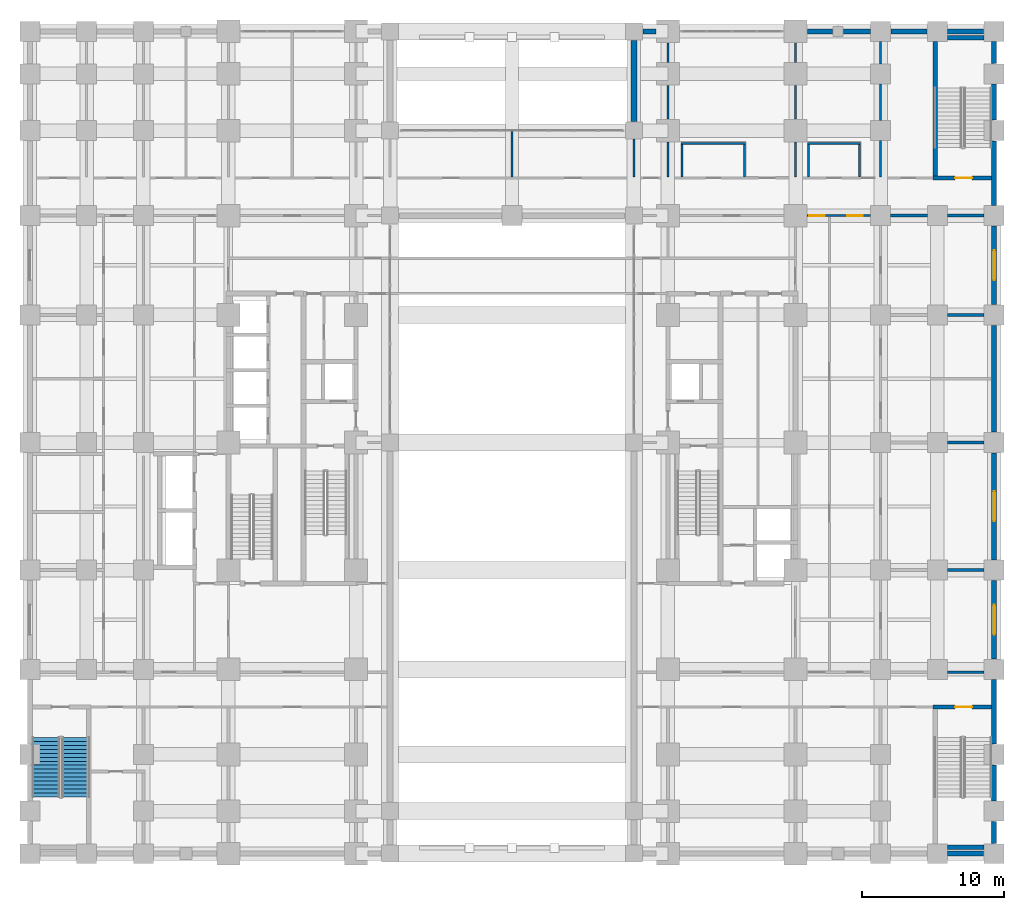
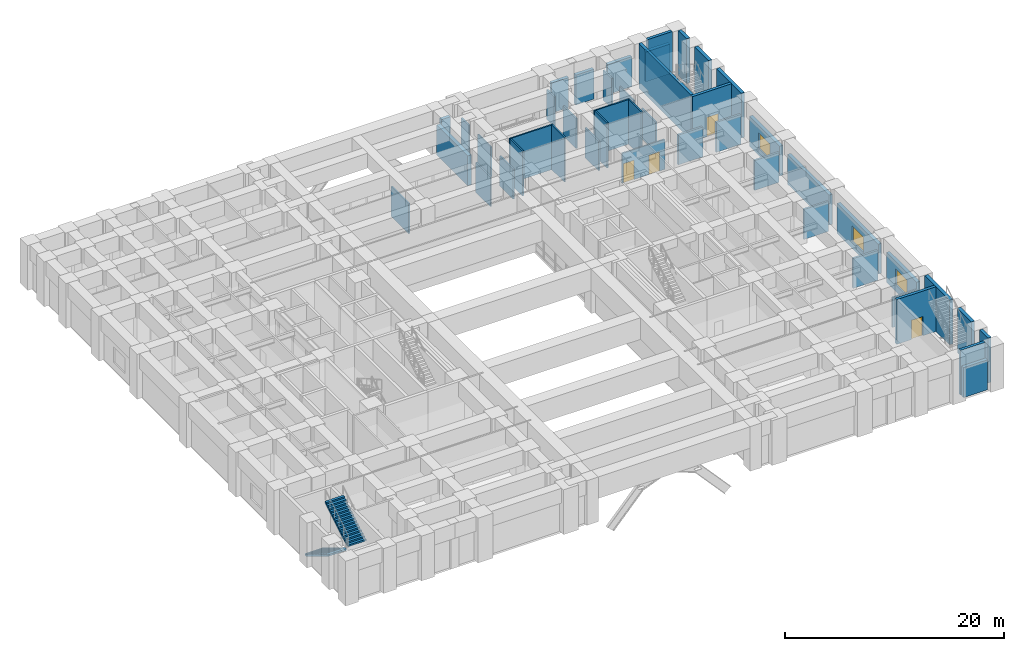
# One storey, part 17 of 24: 46 walls, 4 doors, 3 windows, 2 stair flights, 7 openings, 1 element without a shape of its own.
"""IFC4 building model written with IfcOpenShell, lengths in metres."""

from ifc_helpers import new_model, si_unit, direction, frame, frame_2d, origin, place, context, subcontext, project, spatial, polyline, rectangle, outline, extrude, material, layer, layer_set, type_object, element, fill, aggregate, save


model = new_model("IFC4")

# Units and contexts
model_context = context("Model", 3, precision=1e-05, world=origin(), true_north=direction((0.0, 1.0)))
body_context = subcontext(model_context, "Body", "Model", "MODEL_VIEW")
ifc_project = project(units=[si_unit("LENGTHUNIT", "METRE"), si_unit("AREAUNIT", "SQUARE_METRE"), si_unit("VOLUMEUNIT", "CUBIC_METRE"), si_unit("PLANEANGLEUNIT", "RADIAN"), si_unit("MASSUNIT", "GRAM", prefix="KILO")], contexts=[model_context])

# Site, building, storey
site_placement = place(None, origin())
site = spatial("IfcSite", under=ifc_project, at=site_placement, CompositionType="ELEMENT")
building_placement = place(site_placement, origin())
building = spatial("IfcBuilding", under=site, at=building_placement, Name="Zulmaris Gate Convention Tower", CompositionType="ELEMENT")
storey_placement = place(building_placement, frame((0.0, 0.0, 16.320068359375)))
storey = spatial("IfcBuildingStorey", under=building, at=storey_placement, Name="L03", CompositionType="ELEMENT", Elevation=16.320068359375)

# Wall
ifc_material_1 = material(Name="Concrete C50/60", Category="concrete")
ifc_layer_1 = layer(ifc_material_1, 0.300048828125, Name="Concrete C50/60")
ifc_layer_set_1 = layer_set([ifc_layer_1], Name="Concrete C50/60")
wall_type_1 = type_object("IfcWallType", Name="CORE-300", PredefinedType="SHEAR", material=ifc_layer_set_1)
wall_1_placement = place(storey_placement, frame((30.7041015625, -28.550048828125, 0.0), z_axis=(0.0, 0.0, 1.0), x_axis=(1.0, 0.0, 0.0)))
element("IfcWall", 1, at=wall_1_placement, inside=storey, type_object=wall_type_1, Name="WL-L03-002", PredefinedType="SHEAR", context=body_context, shape_type="SweptSolid", body=[
    extrude(rectangle(XDim=2.591796875, YDim=0.300048828125, at=frame_2d((1.2958984375, 0.0))), origin(), (0.0, 0.0, 1.0), 4.989990234375),
])

# Wall, opening, door
wall_2_placement = place(storey_placement, frame((29.699951171875, -18.64990234375, 0.0), z_axis=(0.0, 0.0, 1.0), x_axis=(1.0, 0.0, 0.0)))
wall_2 = element("IfcWall", 2, at=wall_2_placement, inside=storey, type_object=wall_type_1, Name="WL-L03-004", PredefinedType="SHEAR", context=body_context, shape_type="SweptSolid", body=[
    extrude(rectangle(XDim=4.135009765625, YDim=0.300048828125, at=frame_2d((2.0673828125, 0.0))), origin(), (0.0, 0.0, 1.0), 4.989990234375),
])
opening_1_placement = place(wall_2_placement, frame((1.550048828125, 0.0, 0.0)))
opening_1 = element("IfcOpeningElement", 3, at=opening_1_placement, cuts=wall_2, Name="Opening D-13", PredefinedType="OPENING", context=body_context, shape_type="SweptSolid", body=[
    extrude(rectangle(XDim=1.199951171875, YDim=2.14990234375, at=frame_2d((0.60009765625, 1.074951171875))), frame((0.0, 0.16015625, 0.0), z_axis=(0.0, -1.0, 0.0), x_axis=(1.0, 0.0, 0.0)), (0.0, 0.0, 1.0), 0.320068359375),
])
ifc_material_2 = material(Name="Fire-Rated Steel", Category="steel")
door_type_1 = type_object("IfcDoorType", Name="DR-1200-FD", OperationType="NOTDEFINED", PredefinedType="DOOR", material=ifc_material_2)
door_1_placement = place(opening_1_placement, origin())
door_1 = element("IfcDoor", 4, at=door_1_placement, inside=storey, type_object=door_type_1, Name="L03 Exit Stair ST-6 Door 25", OperationType="SINGLE_SWING_LEFT", OverallHeight=2.14990234375, OverallWidth=1.199951171875, PredefinedType="DOOR", context=body_context, shape_type="SweptSolid", body=[
    extrude(rectangle(XDim=1.199951171875, YDim=2.14990234375, at=frame_2d((0.60009765625, 1.074951171875))), frame((0.0, 0.02490234375, 0.0), z_axis=(0.0, -1.0, 0.0), x_axis=(1.0, 0.0, 0.0)), (0.0, 0.0, 1.0), 0.050048828125),
])
fill(opening_1, door_1)

wall_3_placement = place(storey_placement, frame((29.699951171875, 18.64990234375, 0.0), z_axis=(0.0, 0.0, 1.0), x_axis=(1.0, 0.0, 0.0)))
wall_3 = element("IfcWall", 5, at=wall_3_placement, inside=storey, type_object=wall_type_1, Name="WL-L03-027", PredefinedType="SHEAR", context=body_context, shape_type="SweptSolid", body=[
    extrude(rectangle(XDim=4.135009765625, YDim=0.300048828125, at=frame_2d((2.0673828125, 0.0))), origin(), (0.0, 0.0, 1.0), 4.989990234375),
])
opening_2_placement = place(wall_3_placement, frame((1.550048828125, 0.0, 0.0)))
opening_2 = element("IfcOpeningElement", 6, at=opening_2_placement, cuts=wall_3, Name="Opening D-13", PredefinedType="OPENING", context=body_context, shape_type="SweptSolid", body=[
    extrude(rectangle(XDim=1.199951171875, YDim=2.14990234375, at=frame_2d((0.60009765625, 1.074951171875))), frame((0.0, 0.16015625, 0.0), z_axis=(0.0, -1.0, 0.0), x_axis=(1.0, 0.0, 0.0)), (0.0, 0.0, 1.0), 0.320068359375),
])
door_2_placement = place(opening_2_placement, origin())
door_2 = element("IfcDoor", 7, at=door_2_placement, inside=storey, type_object=door_type_1, Name="L03 Exit Stair ST-5 Door 24", OperationType="SINGLE_SWING_RIGHT", OverallHeight=2.14990234375, OverallWidth=1.199951171875, PredefinedType="DOOR", context=body_context, shape_type="SweptSolid", body=[
    extrude(rectangle(XDim=1.199951171875, YDim=2.14990234375, at=frame_2d((0.60009765625, 1.074951171875))), frame((0.0, 0.02490234375, 0.0), z_axis=(0.0, -1.0, 0.0), x_axis=(1.0, 0.0, 0.0)), (0.0, 0.0, 1.0), 0.050048828125),
])
fill(opening_2, door_2)

# Walls
wall_4_placement = place(storey_placement, frame((30.7041015625, 28.550048828125, 0.0), z_axis=(0.0, 0.0, 1.0), x_axis=(1.0, 0.0, 0.0)))
element("IfcWall", 8, at=wall_4_placement, inside=storey, type_object=wall_type_1, Name="WL-L03-028", PredefinedType="SHEAR", context=body_context, shape_type="SweptSolid", body=[
    extrude(rectangle(XDim=2.591796875, YDim=0.300048828125, at=frame_2d((1.2958984375, 0.0))), origin(), (0.0, 0.0, 1.0), 4.989990234375),
])
wall_5_placement = place(storey_placement, frame((29.85009765625, 18.802001953125, 0.0), z_axis=(0.0, 0.0, 1.0), x_axis=(0.0, 1.0, 0.0)))
element("IfcWall", 9, at=wall_5_placement, inside=storey, type_object=wall_type_1, Name="WL-L03-109", PredefinedType="SHEAR", context=body_context, shape_type="SweptSolid", body=[
    extrude(rectangle(XDim=9.493896484375, YDim=0.300048828125, at=frame_2d((4.7470703125, 0.0))), origin(), (0.0, 0.0, 1.0), 4.989990234375),
])
ifc_material_3 = material(Name="Gypsum Metal Stud Partition")
ifc_layer_2 = layer(ifc_material_3, 0.14990234375, Name="Gypsum Metal Stud Partition")
ifc_layer_set_2 = layer_set([ifc_layer_2], Name="Gypsum Metal Stud Partition")
wall_type_2 = type_object("IfcWallType", Name="PART-150", PredefinedType="PARTITIONING", material=ifc_layer_set_2)
wall_6_placement = place(storey_placement, frame((30.7060546875, -16.199951171875, 0.0), z_axis=(0.0, 0.0, 1.0), x_axis=(1.0, 0.0, 0.0)))
element("IfcWall", 10, at=wall_6_placement, inside=storey, type_object=wall_type_2, Name="WL-L03-033S4", PredefinedType="PARTITIONING", context=body_context, shape_type="SweptSolid", body=[
    extrude(rectangle(XDim=2.587890625, YDim=0.14990234375, at=frame_2d((1.2939453125, 0.0))), origin(), (0.0, 0.0, 1.0), 3.33203125),
])

# Wall, openings, doors
wall_7_placement = place(storey_placement, frame((20.805908203125, 16.0, 0.0), z_axis=(0.0, 0.0, 1.0), x_axis=(1.0, 0.0, 0.0)))
wall_7 = element("IfcWall", 11, at=wall_7_placement, inside=storey, type_object=wall_type_2, Name="WL-L03-063", PredefinedType="PARTITIONING", context=body_context, shape_type="SweptSolid", body=[
    extrude(rectangle(XDim=4.488037109375, YDim=0.14990234375, at=frame_2d((2.244140625, 0.0))), origin(), (0.0, 0.0, 1.0), 3.33203125),
])
opening_3_placement = place(wall_7_placement, frame((0.14990234375, 0.0, 0.0)))
opening_3 = element("IfcOpeningElement", 12, at=opening_3_placement, cuts=wall_7, Name="Opening D-08", PredefinedType="OPENING", context=body_context, shape_type="SweptSolid", body=[
    extrude(rectangle(XDim=1.10009765625, YDim=2.14990234375, at=frame_2d((0.550048828125, 1.074951171875))), frame((0.0, 0.0849609375, 0.0), z_axis=(0.0, -1.0, 0.0), x_axis=(1.0, 0.0, 0.0)), (0.0, 0.0, 1.0), 0.169921875),
])
opening_4_placement = place(wall_7_placement, frame((2.843994140625, 0.0, 0.0)))
opening_4 = element("IfcOpeningElement", 13, at=opening_4_placement, cuts=wall_7, Name="Opening D-08", PredefinedType="OPENING", context=body_context, shape_type="SweptSolid", body=[
    extrude(rectangle(XDim=1.10009765625, YDim=2.14990234375, at=frame_2d((0.550048828125, 1.074951171875))), frame((0.0, 0.0849609375, 0.0), z_axis=(0.0, -1.0, 0.0), x_axis=(1.0, 0.0, 0.0)), (0.0, 0.0, 1.0), 0.169921875),
])
door_type_2 = type_object("IfcDoorType", Name="DR-1100-FD", OperationType="NOTDEFINED", PredefinedType="DOOR", material=ifc_material_2)
door_3_placement = place(opening_3_placement, origin())
door_3 = element("IfcDoor", 14, at=door_3_placement, inside=storey, type_object=door_type_2, Name="L03 East Concourse Link Door 35", OperationType="SINGLE_SWING_LEFT", OverallHeight=2.14990234375, OverallWidth=1.10009765625, PredefinedType="DOOR", context=body_context, shape_type="SweptSolid", body=[
    extrude(rectangle(XDim=1.10009765625, YDim=2.14990234375, at=frame_2d((0.550048828125, 1.074951171875))), frame((0.0, 0.02490234375, 0.0), z_axis=(0.0, -1.0, 0.0), x_axis=(1.0, 0.0, 0.0)), (0.0, 0.0, 1.0), 0.050048828125),
])
fill(opening_3, door_3)
door_4_placement = place(opening_4_placement, origin())
door_4 = element("IfcDoor", 15, at=door_4_placement, inside=storey, type_object=door_type_2, Name="L03 East Promenade Concourse Door 73", OperationType="SINGLE_SWING_LEFT", OverallHeight=2.14990234375, OverallWidth=1.10009765625, PredefinedType="DOOR", context=body_context, shape_type="SweptSolid", body=[
    extrude(rectangle(XDim=1.10009765625, YDim=2.14990234375, at=frame_2d((0.550048828125, 1.074951171875))), frame((0.0, 0.02490234375, 0.0), z_axis=(0.0, -1.0, 0.0), x_axis=(1.0, 0.0, 0.0)), (0.0, 0.0, 1.0), 0.050048828125),
])
fill(opening_4, door_4)

# Walls
wall_8_placement = place(storey_placement, frame((11.925048828125, 21.10009765625, 0.0), z_axis=(0.0, 0.0, 1.0), x_axis=(1.0, 0.0, 0.0)))
element("IfcWall", 16, at=wall_8_placement, inside=storey, type_object=wall_type_2, Name="WL-L03-066", PredefinedType="PARTITIONING", context=body_context, shape_type="SweptSolid", body=[
    extrude(rectangle(XDim=4.550048828125, YDim=0.14990234375, at=frame_2d((2.27490234375, 0.0))), origin(), (0.0, 0.0, 1.0), 4.989990234375),
])
wall_9_placement = place(storey_placement, frame((20.824951171875, 21.10009765625, 0.0), z_axis=(0.0, 0.0, 1.0), x_axis=(1.0, 0.0, 0.0)))
element("IfcWall", 17, at=wall_9_placement, inside=storey, type_object=wall_type_2, Name="WL-L03-067", PredefinedType="PARTITIONING", context=body_context, shape_type="SweptSolid", body=[
    extrude(rectangle(XDim=3.75, YDim=0.14990234375, at=frame_2d((1.875, 0.0))), origin(), (0.0, 0.0, 1.0), 4.989990234375),
])
wall_10_placement = place(storey_placement, frame((0.0, 18.72802734375, 0.0), z_axis=(0.0, 0.0, 1.0), x_axis=(0.0, 1.0, 0.0)))
element("IfcWall", 18, at=wall_10_placement, inside=storey, type_object=wall_type_2, Name="WL-L03-138", PredefinedType="PARTITIONING", context=body_context, shape_type="SweptSolid", body=[
    extrude(rectangle(XDim=3.2119140625, YDim=0.14990234375, at=frame_2d((1.60595703125, 0.0))), origin(), (0.0, 0.0, 1.0), 3.33203125),
])
wall_11_placement = place(storey_placement, frame((8.60009765625, 18.72802734375, 0.0), z_axis=(0.0, 0.0, 1.0), x_axis=(0.0, 1.0, 0.0)))
element("IfcWall", 19, at=wall_11_placement, inside=storey, type_object=wall_type_2, Name="WL-L03-139", PredefinedType="PARTITIONING", context=body_context, shape_type="SweptSolid", body=[
    extrude(rectangle(XDim=2.666015625, YDim=0.14990234375, at=frame_2d((1.3330078125, 0.0))), origin(), (0.0, 0.0, 1.0), 3.33203125),
])
wall_12_placement = place(storey_placement, frame((11.0, 18.72802734375, 0.0), z_axis=(0.0, 0.0, 1.0), x_axis=(0.0, 1.0, 0.0)))
element("IfcWall", 20, at=wall_12_placement, inside=storey, type_object=wall_type_2, Name="WL-L03-142", PredefinedType="PARTITIONING", context=body_context, shape_type="SweptSolid", body=[
    extrude(rectangle(XDim=2.466064453125, YDim=0.14990234375, at=frame_2d((1.23291015625, 0.0))), origin(), (0.0, 0.0, 1.0), 3.33203125),
])
wall_13_placement = place(storey_placement, frame((11.0, 22.805908203125, 0.0), z_axis=(0.0, 0.0, 1.0), x_axis=(0.0, 1.0, 0.0)))
element("IfcWall", 21, at=wall_13_placement, inside=storey, type_object=wall_type_2, Name="WL-L03-142S1", PredefinedType="PARTITIONING", context=body_context, shape_type="SweptSolid", body=[
    extrude(rectangle(XDim=2.38818359375, YDim=0.14990234375, at=frame_2d((1.194091796875, 0.0))), origin(), (0.0, 0.0, 1.0), 3.33203125),
])
wall_14_placement = place(storey_placement, frame((11.0, 26.805908203125, 0.0), z_axis=(0.0, 0.0, 1.0), x_axis=(0.0, 1.0, 0.0)))
element("IfcWall", 22, at=wall_14_placement, inside=storey, type_object=wall_type_2, Name="WL-L03-142S2", PredefinedType="PARTITIONING", context=body_context, shape_type="SweptSolid", body=[
    extrude(rectangle(XDim=1.38818359375, YDim=0.14990234375, at=frame_2d((0.694091796875, 0.0))), origin(), (0.0, 0.0, 1.0), 3.33203125),
])
for number, where, z_axis, x_axis, name in (
    (23, (12.0, 18.72802734375, 0.0), (0.0, 0.0, 1.0), (0.0, 1.0, 0.0), "WL-L03-143"),
    (24, (16.39990234375, 18.72802734375, 0.0), (0.0, 0.0, 1.0), (0.0, 1.0, 0.0), "WL-L03-144"),
):
    element("IfcWall", number, at=place(storey_placement, frame(where, z_axis=z_axis, x_axis=x_axis)), inside=storey, type_object=wall_type_2, Name=name, PredefinedType="PARTITIONING", context=body_context, shape_type="SweptSolid", body=[
        extrude(rectangle(XDim=2.2939453125, YDim=0.14990234375, at=frame_2d((1.14697265625, 0.0))), origin(), (0.0, 0.0, 1.0), 4.989990234375),
    ])
wall_15_placement = place(storey_placement, frame((20.0, 18.72802734375, 0.0), z_axis=(0.0, 0.0, 1.0), x_axis=(0.0, 1.0, 0.0)))
element("IfcWall", 25, at=wall_15_placement, inside=storey, type_object=wall_type_2, Name="WL-L03-150", PredefinedType="PARTITIONING", context=body_context, shape_type="SweptSolid", body=[
    extrude(rectangle(XDim=2.466064453125, YDim=0.14990234375, at=frame_2d((1.23291015625, 0.0))), origin(), (0.0, 0.0, 1.0), 3.33203125),
])
wall_16_placement = place(storey_placement, frame((20.0, 22.805908203125, 0.0), z_axis=(0.0, 0.0, 1.0), x_axis=(0.0, 1.0, 0.0)))
element("IfcWall", 26, at=wall_16_placement, inside=storey, type_object=wall_type_2, Name="WL-L03-150S1", PredefinedType="PARTITIONING", context=body_context, shape_type="SweptSolid", body=[
    extrude(rectangle(XDim=2.38818359375, YDim=0.14990234375, at=frame_2d((1.194091796875, 0.0))), origin(), (0.0, 0.0, 1.0), 3.33203125),
])
wall_17_placement = place(storey_placement, frame((20.0, 26.805908203125, 0.0), z_axis=(0.0, 0.0, 1.0), x_axis=(0.0, 1.0, 0.0)))
element("IfcWall", 27, at=wall_17_placement, inside=storey, type_object=wall_type_2, Name="WL-L03-150S2", PredefinedType="PARTITIONING", context=body_context, shape_type="SweptSolid", body=[
    extrude(rectangle(XDim=1.38818359375, YDim=0.14990234375, at=frame_2d((0.694091796875, 0.0))), origin(), (0.0, 0.0, 1.0), 3.33203125),
])
for number, where, z_axis, x_axis, name in (
    (28, (20.89990234375, 18.72802734375, 0.0), (0.0, 0.0, 1.0), (0.0, 1.0, 0.0), "WL-L03-151"),
    (29, (24.5, 18.72802734375, 0.0), (0.0, 0.0, 1.0), (0.0, 1.0, 0.0), "WL-L03-153"),
):
    element("IfcWall", number, at=place(storey_placement, frame(where, z_axis=z_axis, x_axis=x_axis)), inside=storey, type_object=wall_type_2, Name=name, PredefinedType="PARTITIONING", context=body_context, shape_type="SweptSolid", body=[
        extrude(rectangle(XDim=2.2939453125, YDim=0.14990234375, at=frame_2d((1.14697265625, 0.0))), origin(), (0.0, 0.0, 1.0), 4.989990234375),
    ])
wall_18_placement = place(storey_placement, frame((26.0, 18.72802734375, 0.0), z_axis=(0.0, 0.0, 1.0), x_axis=(0.0, 1.0, 0.0)))
element("IfcWall", 30, at=wall_18_placement, inside=storey, type_object=wall_type_2, Name="WL-L03-160", PredefinedType="PARTITIONING", context=body_context, shape_type="SweptSolid", body=[
    extrude(rectangle(XDim=2.56591796875, YDim=0.14990234375, at=frame_2d((1.282958984375, 0.0))), origin(), (0.0, 0.0, 1.0), 3.33203125),
])
wall_19_placement = place(storey_placement, frame((26.0, 22.7060546875, 0.0), z_axis=(0.0, 0.0, 1.0), x_axis=(0.0, 1.0, 0.0)))
element("IfcWall", 31, at=wall_19_placement, inside=storey, type_object=wall_type_2, Name="WL-L03-160S1", PredefinedType="PARTITIONING", context=body_context, shape_type="SweptSolid", body=[
    extrude(rectangle(XDim=2.587890625, YDim=0.14990234375, at=frame_2d((1.2939453125, 0.0))), origin(), (0.0, 0.0, 1.0), 3.33203125),
])
wall_20_placement = place(storey_placement, frame((26.0, 26.7060546875, 0.0), z_axis=(0.0, 0.0, 1.0), x_axis=(0.0, 1.0, 0.0)))
element("IfcWall", 32, at=wall_20_placement, inside=storey, type_object=wall_type_2, Name="WL-L03-160S2", PredefinedType="PARTITIONING", context=body_context, shape_type="SweptSolid", body=[
    extrude(rectangle(XDim=1.587890625, YDim=0.14990234375, at=frame_2d((0.7939453125, 0.0))), origin(), (0.0, 0.0, 1.0), 3.33203125),
])
ifc_material_4 = material(Name="Autoclaved Aerated Concrete Block and Plasterboard", Category="concrete")
ifc_layer_3 = layer(ifc_material_4, 0.199951171875, Name="Autoclaved Aerated Concrete Block and Plasterboard")
ifc_layer_set_3 = layer_set([ifc_layer_3], Name="Autoclaved Aerated Concrete Block and Plasterboard")
wall_type_3 = type_object("IfcWallType", Name="PART-200", PredefinedType="PARTITIONING", material=ifc_layer_set_3)
for number, where, z_axis, x_axis, name in (
    (33, (30.7060546875, -9.0, 0.0), (0.0, 0.0, 1.0), (1.0, 0.0, 0.0), "WL-L03-038S1"),
    (34, (30.7060546875, 0.0, 0.0), (0.0, 0.0, 1.0), (1.0, 0.0, 0.0), "WL-L03-046S1"),
    (35, (30.7060546875, 9.0, 0.0), (0.0, 0.0, 1.0), (1.0, 0.0, 0.0), "WL-L03-050S1"),
    (36, (26.7060546875, 16.0, 0.0), (0.0, 0.0, 1.0), (1.0, 0.0, 0.0), "WL-L03-064"),
    (37, (30.7060546875, 16.0, 0.0), (0.0, 0.0, 1.0), (1.0, 0.0, 0.0), "WL-L03-064S1"),
):
    element("IfcWall", number, at=place(storey_placement, frame(where, z_axis=z_axis, x_axis=x_axis)), inside=storey, type_object=wall_type_3, Name=name, PredefinedType="PARTITIONING", context=body_context, shape_type="SweptSolid", body=[
        extrude(rectangle(XDim=2.587890625, YDim=0.199951171875, at=frame_2d((1.2939453125, 0.0))), origin(), (0.0, 0.0, 1.0), 3.33203125),
    ])
ifc_material_5 = material(Name="Precast concrete C50/60", Category="concrete")
ifc_layer_4 = layer(ifc_material_5, 0.39990234375, Name="Precast concrete C50/60")
ifc_layer_set_4 = layer_set([ifc_layer_4], Name="Precast concrete C50/60")
wall_type_4 = type_object("IfcWallType", Name="PRECAST-ARCH-400", PredefinedType="STANDARD", material=ifc_layer_set_4)
wall_21_placement = place(storey_placement, frame((8.60009765625, 28.35009765625, 0.0), z_axis=(0.0, 0.0, 1.0), x_axis=(0.0, -1.0, 0.0)))
element("IfcWall", 38, at=wall_21_placement, inside=storey, type_object=wall_type_4, Name="EW-L03-ARCH-NES_0", PredefinedType="STANDARD", context=body_context, shape_type="SweptSolid", body=[
    extrude(rectangle(XDim=5.72021484375, YDim=0.39990234375, at=frame_2d((2.860107421875, 0.0))), origin(), (0.0, 0.0, 1.0), 3.33203125),
])
ifc_material_6 = material(Name="Precast concrete C45/55", Category="concrete")
ifc_layer_5 = layer(ifc_material_6, 0.35009765625, Name="Precast concrete C45/55")
ifc_layer_set_5 = layer_set([ifc_layer_5], Name="Precast concrete C45/55")
wall_type_5 = type_object("IfcWallType", Name="PRECAST-POD-350", PredefinedType="STANDARD", material=ifc_layer_set_5)
wall_22_placement = place(storey_placement, frame((30.72998046875, -29.0, 0.0), z_axis=(0.0, 0.0, 1.0), x_axis=(1.0, 0.0, 0.0)))
element("IfcWall", 39, at=wall_22_placement, inside=storey, type_object=wall_type_5, Name="EW-L03-S-300_0", PredefinedType="STANDARD", context=body_context, shape_type="SweptSolid", body=[
    extrude(rectangle(XDim=2.5400390625, YDim=0.35009765625, at=frame_2d((1.27001953125, 0.0))), origin(), (0.0, 0.0, 1.0), 3.33203125),
])
wall_23_placement = place(storey_placement, frame((10.169921875, 29.0, 0.0), z_axis=(0.0, 0.0, 1.0), x_axis=(-1.0, 0.0, 0.0)))
element("IfcWall", 40, at=wall_23_placement, inside=storey, type_object=wall_type_5, Name="EW-L03-N-86_0", PredefinedType="STANDARD", context=body_context, shape_type="SweptSolid", body=[
    extrude(rectangle(XDim=0.93994140625, YDim=0.35009765625, at=frame_2d((0.469970703125, 0.0))), origin(), (0.0, 0.0, 1.0), 3.33203125),
])
wall_24_placement = place(storey_placement, frame((22.6201171875, 29.0, 0.0), z_axis=(0.0, 0.0, 1.0), x_axis=(-1.0, 0.0, 0.0)))
element("IfcWall", 41, at=wall_24_placement, inside=storey, type_object=wall_type_5, Name="EW-L03-N-200_0", PredefinedType="STANDARD", context=body_context, shape_type="SweptSolid", body=[
    extrude(rectangle(XDim=1.7900390625, YDim=0.35009765625, at=frame_2d((0.89501953125, 0.0))), origin(), (0.0, 0.0, 1.0), 3.33203125),
])
wall_25_placement = place(storey_placement, frame((25.27001953125, 29.0, 0.0), z_axis=(0.0, 0.0, 1.0), x_axis=(-1.0, 0.0, 0.0)))
element("IfcWall", 42, at=wall_25_placement, inside=storey, type_object=wall_type_5, Name="EW-L03-N-230_0", PredefinedType="STANDARD", context=body_context, shape_type="SweptSolid", body=[
    extrude(rectangle(XDim=1.89013671875, YDim=0.35009765625, at=frame_2d((0.945068359375, 0.0))), origin(), (0.0, 0.0, 1.0), 3.33203125),
])
for number, where, z_axis, x_axis, name in (
    (43, (29.27001953125, 29.0, 0.0), (0.0, 0.0, 1.0), (-1.0, 0.0, 0.0), "EW-L03-N-260_0"),
    (44, (33.27001953125, 29.0, 0.0), (0.0, 0.0, 1.0), (-1.0, 0.0, 0.0), "EW-L03-N-300_0"),
):
    element("IfcWall", number, at=place(storey_placement, frame(where, z_axis=z_axis, x_axis=x_axis)), inside=storey, type_object=wall_type_5, Name=name, PredefinedType="STANDARD", context=body_context, shape_type="SweptSolid", body=[
        extrude(rectangle(XDim=2.5400390625, YDim=0.35009765625, at=frame_2d((1.27001953125, 0.0))), origin(), (0.0, 0.0, 1.0), 3.33203125),
    ])
wall_26_placement = place(storey_placement, frame((34.0, -26.72998046875, 0.0), z_axis=(0.0, 0.0, 1.0), x_axis=(0.0, -1.0, 0.0)))
element("IfcWall", 45, at=wall_26_placement, inside=storey, type_object=wall_type_5, Name="EW-L03-E--29_0", PredefinedType="STANDARD", context=body_context, shape_type="SweptSolid", body=[
    extrude(rectangle(XDim=1.5400390625, YDim=0.35009765625, at=frame_2d((0.77001953125, 0.0))), origin(), (0.0, 0.0, 1.0), 4.989990234375),
])
wall_27_placement = place(storey_placement, frame((34.0, -22.72998046875, 0.0), z_axis=(0.0, 0.0, 1.0), x_axis=(0.0, -1.0, 0.0)))
element("IfcWall", 46, at=wall_27_placement, inside=storey, type_object=wall_type_5, Name="EW-L03-E--26_0", PredefinedType="STANDARD", context=body_context, shape_type="SweptSolid", body=[
    extrude(rectangle(XDim=2.5400390625, YDim=0.35009765625, at=frame_2d((1.27001953125, 0.0))), origin(), (0.0, 0.0, 1.0), 4.989990234375),
])
wall_28_placement = place(storey_placement, frame((34.0, -16.72998046875, 0.0), z_axis=(0.0, 0.0, 1.0), x_axis=(0.0, -1.0, 0.0)))
element("IfcWall", 47, at=wall_28_placement, inside=storey, type_object=wall_type_5, Name="EW-L03-E--22_0", PredefinedType="STANDARD", context=body_context, shape_type="SweptSolid", body=[
    extrude(rectangle(XDim=4.5400390625, YDim=0.35009765625, at=frame_2d((2.27001953125, 0.0))), origin(), (0.0, 0.0, 1.0), 4.989990234375),
])

# Wall, opening, window
wall_29_placement = place(storey_placement, frame((34.0, -9.72998046875, 0.0), z_axis=(0.0, 0.0, 1.0), x_axis=(0.0, -1.0, 0.0)))
wall_29 = element("IfcWall", 48, at=wall_29_placement, inside=storey, type_object=wall_type_5, Name="EW-L03-E--16_0", PredefinedType="STANDARD", context=body_context, shape_type="SweptSolid", body=[
    extrude(rectangle(XDim=5.5400390625, YDim=0.35009765625, at=frame_2d((2.77001953125, 0.0))), origin(), (0.0, 0.0, 1.0), 3.33203125),
])
opening_5_placement = place(wall_29_placement, frame((1.719970703125, 0.0, 0.75)))
opening_5 = element("IfcOpeningElement", 49, at=opening_5_placement, cuts=wall_29, Name="Opening W-05", PredefinedType="OPENING", context=body_context, shape_type="SweptSolid", body=[
    extrude(rectangle(XDim=2.10009765625, YDim=1.75, at=frame_2d((1.050048828125, 0.875))), frame((0.0, 0.18505859375, 0.0), z_axis=(0.0, -1.0, 0.0), x_axis=(1.0, 0.0, 0.0)), (0.0, 0.0, 1.0), 0.3701171875),
])
ifc_material_7 = material(Name="Low-E Laminated Double Glazing in Aluminium Frame", Category="aluminium")
window_type = type_object("IfcWindowType", Name="WIN-2100x2400", PartitioningType="SINGLE_PANEL", PredefinedType="WINDOW", material=ifc_material_7)
window_1_placement = place(opening_5_placement, origin())
window_1 = element("IfcWindow", 50, at=window_1_placement, inside=storey, type_object=window_type, Name="WN-EW-L03-E--16_0", OverallHeight=1.75, OverallWidth=2.10009765625, PartitioningType="SINGLE_PANEL", PredefinedType="WINDOW", context=body_context, shape_type="SweptSolid", body=[
    extrude(rectangle(XDim=2.10009765625, YDim=1.75, at=frame_2d((1.050048828125, 0.875))), frame((0.0, 0.030029296875, 0.0), z_axis=(0.0, -1.0, 0.0), x_axis=(1.0, 0.0, 0.0)), (0.0, 0.0, 1.0), 0.06005859375),
])
fill(opening_5, window_1)

wall_30_placement = place(storey_placement, frame((34.0, -0.72998046875, 0.0), z_axis=(0.0, 0.0, 1.0), x_axis=(0.0, -1.0, 0.0)))
wall_30 = element("IfcWall", 51, at=wall_30_placement, inside=storey, type_object=wall_type_5, Name="EW-L03-E--9_0", PredefinedType="STANDARD", context=body_context, shape_type="SweptSolid", body=[
    extrude(rectangle(XDim=7.5400390625, YDim=0.35009765625, at=frame_2d((3.77001953125, 0.0))), origin(), (0.0, 0.0, 1.0), 3.33203125),
])
opening_6_placement = place(wall_30_placement, frame((2.719970703125, 0.0, 0.75)))
opening_6 = element("IfcOpeningElement", 52, at=opening_6_placement, cuts=wall_30, Name="Opening W-05", PredefinedType="OPENING", context=body_context, shape_type="SweptSolid", body=[
    extrude(rectangle(XDim=2.10009765625, YDim=1.75, at=frame_2d((1.050048828125, 0.875))), frame((0.0, 0.18505859375, 0.0), z_axis=(0.0, -1.0, 0.0), x_axis=(1.0, 0.0, 0.0)), (0.0, 0.0, 1.0), 0.3701171875),
])
window_2_placement = place(opening_6_placement, origin())
window_2 = element("IfcWindow", 53, at=window_2_placement, inside=storey, type_object=window_type, Name="WN-EW-L03-E--9_0", OverallHeight=1.75, OverallWidth=2.10009765625, PartitioningType="SINGLE_PANEL", PredefinedType="WINDOW", context=body_context, shape_type="SweptSolid", body=[
    extrude(rectangle(XDim=2.10009765625, YDim=1.75, at=frame_2d((1.050048828125, 0.875))), frame((0.0, 0.030029296875, 0.0), z_axis=(0.0, -1.0, 0.0), x_axis=(1.0, 0.0, 0.0)), (0.0, 0.0, 1.0), 0.06005859375),
])
fill(opening_6, window_2)

# Wall
wall_31_placement = place(storey_placement, frame((34.0, 8.27001953125, 0.0), z_axis=(0.0, 0.0, 1.0), x_axis=(0.0, -1.0, 0.0)))
element("IfcWall", 54, at=wall_31_placement, inside=storey, type_object=wall_type_5, Name="EW-L03-E-0_0", PredefinedType="STANDARD", context=body_context, shape_type="SweptSolid", body=[
    extrude(rectangle(XDim=7.5400390625, YDim=0.35009765625, at=frame_2d((3.77001953125, 0.0))), origin(), (0.0, 0.0, 1.0), 3.33203125),
])

# Wall, opening, window
wall_32_placement = place(storey_placement, frame((34.0, 15.27001953125, 0.0), z_axis=(0.0, 0.0, 1.0), x_axis=(0.0, -1.0, 0.0)))
wall_32 = element("IfcWall", 55, at=wall_32_placement, inside=storey, type_object=wall_type_5, Name="EW-L03-E-9_0", PredefinedType="STANDARD", context=body_context, shape_type="SweptSolid", body=[
    extrude(rectangle(XDim=5.5400390625, YDim=0.35009765625, at=frame_2d((2.77001953125, 0.0))), origin(), (0.0, 0.0, 1.0), 3.33203125),
])
opening_7_placement = place(wall_32_placement, frame((1.719970703125, 0.0, 0.75)))
opening_7 = element("IfcOpeningElement", 56, at=opening_7_placement, cuts=wall_32, Name="Opening W-05", PredefinedType="OPENING", context=body_context, shape_type="SweptSolid", body=[
    extrude(rectangle(XDim=2.10009765625, YDim=1.75, at=frame_2d((1.050048828125, 0.875))), frame((0.0, 0.18505859375, 0.0), z_axis=(0.0, -1.0, 0.0), x_axis=(1.0, 0.0, 0.0)), (0.0, 0.0, 1.0), 0.3701171875),
])
window_3_placement = place(opening_7_placement, origin())
window_3 = element("IfcWindow", 57, at=window_3_placement, inside=storey, type_object=window_type, Name="WN-EW-L03-E-9_0", OverallHeight=1.75, OverallWidth=2.10009765625, PartitioningType="SINGLE_PANEL", PredefinedType="WINDOW", context=body_context, shape_type="SweptSolid", body=[
    extrude(rectangle(XDim=2.10009765625, YDim=1.75, at=frame_2d((1.050048828125, 0.875))), frame((0.0, 0.030029296875, 0.0), z_axis=(0.0, -1.0, 0.0), x_axis=(1.0, 0.0, 0.0)), (0.0, 0.0, 1.0), 0.06005859375),
])
fill(opening_7, window_3)

# Walls
wall_33_placement = place(storey_placement, frame((34.0, 21.27001953125, 0.0), z_axis=(0.0, 0.0, 1.0), x_axis=(0.0, -1.0, 0.0)))
element("IfcWall", 58, at=wall_33_placement, inside=storey, type_object=wall_type_5, Name="EW-L03-E-16_0", PredefinedType="STANDARD", context=body_context, shape_type="SweptSolid", body=[
    extrude(rectangle(XDim=4.5400390625, YDim=0.35009765625, at=frame_2d((2.27001953125, 0.0))), origin(), (0.0, 0.0, 1.0), 4.989990234375),
])
wall_34_placement = place(storey_placement, frame((34.0, 25.27001953125, 0.0), z_axis=(0.0, 0.0, 1.0), x_axis=(0.0, -1.0, 0.0)))
element("IfcWall", 59, at=wall_34_placement, inside=storey, type_object=wall_type_5, Name="EW-L03-E-22_0", PredefinedType="STANDARD", context=body_context, shape_type="SweptSolid", body=[
    extrude(rectangle(XDim=2.5400390625, YDim=0.35009765625, at=frame_2d((1.27001953125, 0.0))), origin(), (0.0, 0.0, 1.0), 4.989990234375),
])
wall_35_placement = place(storey_placement, frame((34.0, 28.27001953125, 0.0), z_axis=(0.0, 0.0, 1.0), x_axis=(0.0, -1.0, 0.0)))
element("IfcWall", 60, at=wall_35_placement, inside=storey, type_object=wall_type_5, Name="EW-L03-E-26_0", PredefinedType="STANDARD", context=body_context, shape_type="SweptSolid", body=[
    extrude(rectangle(XDim=1.5400390625, YDim=0.35009765625, at=frame_2d((0.77001953125, 0.0))), origin(), (0.0, 0.0, 1.0), 4.989990234375),
])

# Stair, stair flights
ifc_material_8 = material(Name="Concrete C45/55", Category="concrete")
stair_type = type_object("IfcStairType", Name="ST-POD-DOGLEG", PredefinedType="HALF_TURN_STAIR", material=ifc_material_8)
stair_placement = place(storey_placement, origin())
stair = element("IfcStair", 61, at=stair_placement, inside=storey, type_object=stair_type, Name="L03 Podium Exit Stair ST-4", PredefinedType="HALF_TURN_STAIR")
ifc_layer_6 = layer(ifc_material_8, 0.159912109375, Name="Concrete C45/55")
ifc_layer_set_6 = layer_set([ifc_layer_6], Name="Concrete C45/55")
stair_flight_type = type_object("IfcStairFlightType", Name="STF-RC195", PredefinedType="STRAIGHT", material=ifc_layer_set_6)
stair_flight_1_placement = place(storey_placement, frame((-32.85498046875, -20.800048828125, 0.0), z_axis=(0.0, 0.0, 1.0), x_axis=(0.0, -1.0, 0.0)))
stair_flight_1 = element("IfcStairFlight", 62, at=stair_flight_1_placement, type_object=stair_flight_type, Name="ST-4 flight 1", NumberOfRisers=16, NumberOfTreads=15, PredefinedType="STRAIGHT", RiserHeight=0.169996875, TreadLength=0.28, context=body_context, shape_type="SweptSolid", body=[
    extrude(outline(polyline([(0.0, 0.0), (0.0, 0.169921875), (0.280029296875, 0.169921875), (0.280029296875, 0.340087890625), (0.56005859375, 0.340087890625), (0.56005859375, 0.510009765625), (0.840087890625, 0.510009765625), (0.840087890625, 0.679931640625), (1.1201171875, 0.679931640625), (1.1201171875, 0.85009765625), (1.39990234375, 0.85009765625), (1.39990234375, 1.02001953125), (1.679931640625, 1.02001953125), (1.679931640625, 1.18994140625), (1.9599609375, 1.18994140625), (1.9599609375, 1.35986328125), (2.239990234375, 1.35986328125), (2.239990234375, 1.530029296875), (2.52001953125, 1.530029296875), (2.52001953125, 1.699951171875), (2.800048828125, 1.699951171875), (2.800048828125, 1.869873046875), (3.080078125, 1.869873046875), (3.080078125, 2.0400390625), (3.360107421875, 2.0400390625), (3.360107421875, 2.2099609375), (3.639892578125, 2.2099609375), (3.639892578125, 2.3798828125), (3.919921875, 2.3798828125), (3.919921875, 2.550048828125), (4.199951171875, 2.550048828125), (4.199951171875, 2.719970703125), (4.199951171875, 2.37451171875), (0.288818359375, 0.0), (0.0, 0.0)])), frame((0.0, 0.97509765625, 0.0), z_axis=(0.0, -1.0, 0.0), x_axis=(1.0, 0.0, 0.0)), (0.0, 0.0, 1.0), 1.949951171875),
])
stair_flight_2_placement = place(storey_placement, frame((-30.7548828125, -25.0, 2.719970703125), z_axis=(0.0, 0.0, 1.0), x_axis=(0.0, 1.0, 0.0)))
stair_flight_2 = element("IfcStairFlight", 63, at=stair_flight_2_placement, type_object=stair_flight_type, Name="ST-4 flight 2", NumberOfRisers=16, NumberOfTreads=15, PredefinedType="STRAIGHT", RiserHeight=0.169996875, TreadLength=0.28, context=body_context, shape_type="SweptSolid", body=[
    extrude(outline(polyline([(0.0, 0.0), (0.0, 0.169921875), (0.280029296875, 0.169921875), (0.280029296875, 0.340087890625), (0.56005859375, 0.340087890625), (0.56005859375, 0.510009765625), (0.840087890625, 0.510009765625), (0.840087890625, 0.679931640625), (1.1201171875, 0.679931640625), (1.1201171875, 0.85009765625), (1.39990234375, 0.85009765625), (1.39990234375, 1.02001953125), (1.679931640625, 1.02001953125), (1.679931640625, 1.18994140625), (1.9599609375, 1.18994140625), (1.9599609375, 1.35986328125), (2.239990234375, 1.35986328125), (2.239990234375, 1.530029296875), (2.52001953125, 1.530029296875), (2.52001953125, 1.699951171875), (2.800048828125, 1.699951171875), (2.800048828125, 1.869873046875), (3.080078125, 1.869873046875), (3.080078125, 2.0400390625), (3.360107421875, 2.0400390625), (3.360107421875, 2.2099609375), (3.639892578125, 2.2099609375), (3.639892578125, 2.3798828125), (3.919921875, 2.3798828125), (3.919921875, 2.550048828125), (4.199951171875, 2.550048828125), (4.199951171875, 2.719970703125), (4.199951171875, 2.37451171875), (0.288818359375, 0.0), (0.0, 0.0)])), frame((0.0, 0.97509765625, 0.0), z_axis=(0.0, -1.0, 0.0), x_axis=(1.0, 0.0, 0.0)), (0.0, 0.0, 1.0), 1.949951171875),
])
aggregate(stair, [stair_flight_1, stair_flight_2])

save(model, "model.ifc")
